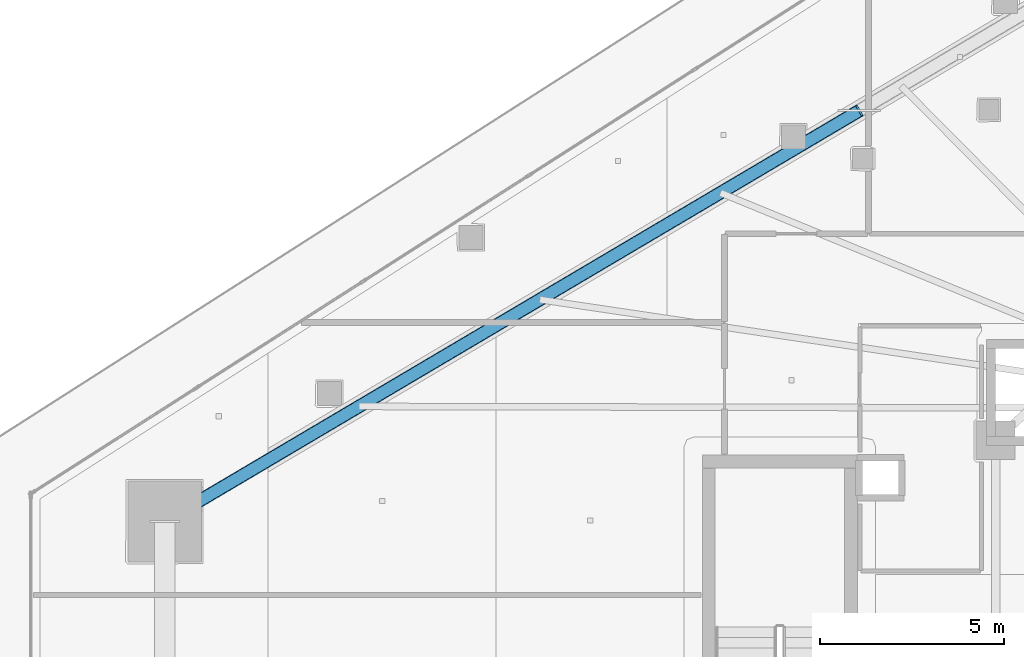
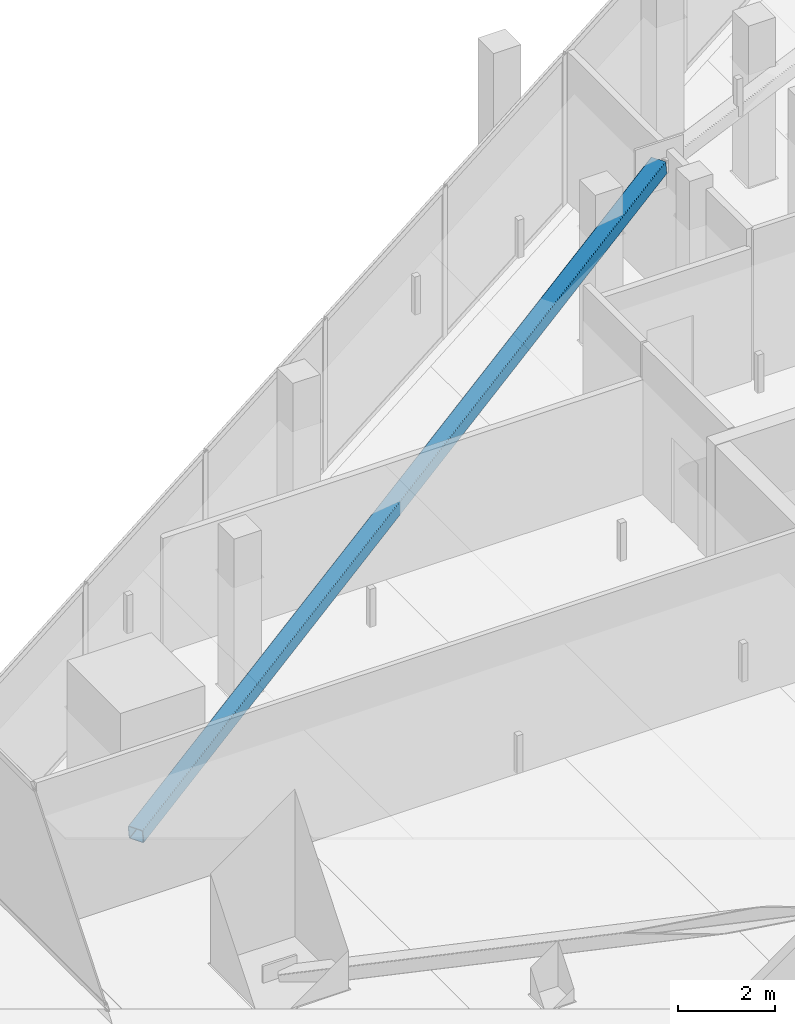
# One storey, part 17 of 43: 1 member.
"""IFC4 building model written with IfcOpenShell, lengths in metres."""

from ifc_helpers import new_model, si_unit, direction, frame, origin, origin_2d, place, context, subcontext, project, spatial, hollow_rectangle, extrude, material, material_profile, profile_set, type_object, element, save


model = new_model("IFC4")

# Units and contexts
model_context = context("Model", 3, precision=1e-05, world=origin(), true_north=direction((0.0, 1.0)))
body_context = subcontext(model_context, "Body", "Model", "MODEL_VIEW")
ifc_project = project(units=[si_unit("LENGTHUNIT", "METRE"), si_unit("AREAUNIT", "SQUARE_METRE"), si_unit("VOLUMEUNIT", "CUBIC_METRE"), si_unit("PLANEANGLEUNIT", "RADIAN"), si_unit("MASSUNIT", "GRAM", prefix="KILO")], contexts=[model_context])

# Site, building, storey
site_placement = place(None, origin())
site = spatial("IfcSite", under=ifc_project, at=site_placement, CompositionType="ELEMENT")
building_placement = place(site_placement, origin())
building = spatial("IfcBuilding", under=site, at=building_placement, Name="Qorvath Tower", CompositionType="ELEMENT")
storey_placement = place(building_placement, frame((0.0, 0.0, 150.300048828125)))
storey = spatial("IfcBuildingStorey", under=building, at=storey_placement, Name="L34", CompositionType="ELEMENT", Elevation=150.300048828125)

# Member
ifc_material = material(Name="Steel ASTM A500 Grade C", Category="steel")
ifc_material_profile = material_profile(ifc_material, hollow_rectangle(XDim=0.355712890625, YDim=0.355712890625, WallThickness=0.015869140625, InnerFilletRadius=0.015869140625, OuterFilletRadius=0.03173828125, at=origin_2d()), Name="HSS 356x356x16")
ifc_profile_set = profile_set([ifc_material_profile], Name="Steel ASTM A500 Grade C")
member_type = type_object("IfcMemberType", Name="MEM-MB2", PredefinedType="BRACE", material=ifc_profile_set)
member_placement = place(storey_placement, frame((-53.04931640625, 2.95068359375, 0.0), z_axis=(0.850410115142, 0.502856465521, 0.154719136333), x_axis=(-0.508985415689, 0.860775142889, 0.0)))
element("IfcMember", 1, at=member_placement, inside=storey, type_object=member_type, Name="Perimeter Chevron Brace L34-1B", PredefinedType="BRACE", context=body_context, shape_type="SweptSolid", body=[
    extrude(hollow_rectangle(XDim=0.355712890625, YDim=0.355712890625, WallThickness=0.015869140625, InnerFilletRadius=0.015869140625, OuterFilletRadius=0.03173828125, at=origin_2d()), origin(), (0.0, 0.0, 1.0), 22.168701171875),
])

save(model, "model.ifc")
